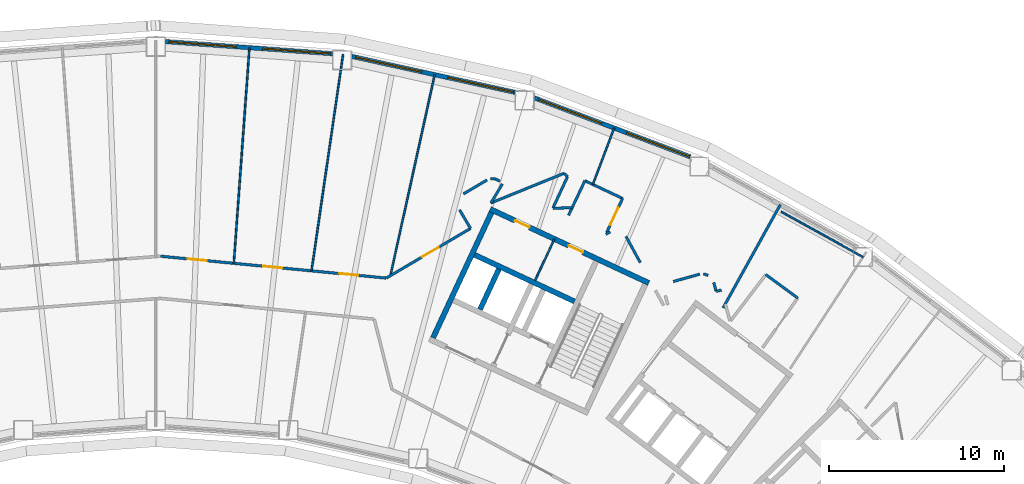
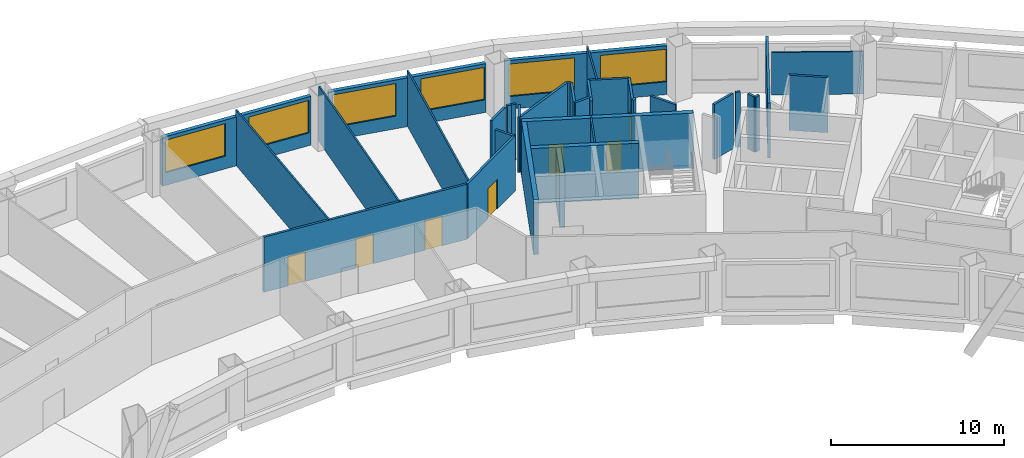
# One storey, part 8 of 11: 35 walls, 7 doors, 6 windows, 13 openings.
"""IFC4 building model written with IfcOpenShell, lengths in metres."""

import ifcopenshell
import ifcopenshell.guid

model = None  # the IFC model being written
_history = None  # IfcOwnerHistory: only IFC2X3 demands one
_inside = {}  # id of a spatial element -> (the spatial element, [elements in it])
_under = {}  # id of a project, library or spatial element -> (it, [spatial elements below it])
_declared = {}  # id of a project -> (the project, [libraries it declares])
_typed = {}  # id of a type object -> (the type object, [elements of that type])
_made_of = {}  # id of a material, layer set ... -> (it, [elements and type objects made of it])


def new_model(schema):
    """Start an empty IFC model of exactly this schema.

    Asked for "IFC4X3", IfcOpenShell would pick the latest addendum, in which some entities
    have other attributes; the version numbers below select the first issue.
    IFC2X3 requires an IfcOwnerHistory on every rooted entity: one is made here for all.
    """
    global model, _history
    if schema == "IFC4X3":
        model = ifcopenshell.file(schema_version=(4, 3, 0, 0))
    else:
        model = ifcopenshell.file(schema=schema)
    _inside.clear()
    _under.clear()
    _declared.clear()
    _typed.clear()
    _made_of.clear()
    _history = None
    if model.schema == "IFC2X3":
        org = make("IfcOrganization", Name="unknown")
        user = make(
            "IfcPersonAndOrganization",
            ThePerson=make("IfcPerson", FamilyName="unknown"),
            TheOrganization=org,
        )
        app = make(
            "IfcApplication",
            ApplicationDeveloper=org,
            Version="unknown",
            ApplicationFullName="unknown",
            ApplicationIdentifier="unknown",
        )
        _history = make(
            "IfcOwnerHistory",
            OwningUser=user,
            OwningApplication=app,
            ChangeAction="ADDED",
            CreationDate=0,
        )
    return model


def make(cls, **values):
    """One entity of the class cls with the attributes given. An attribute that is None is left unset."""
    return model.create_entity(
        cls, **{name: value for name, value in values.items() if value is not None}
    )


def rooted(cls, **values):
    """An entity with a GlobalId (a new one), such as an element, a storey or a relation."""
    return make(cls, GlobalId=ifcopenshell.guid.new(), OwnerHistory=_history, **values)


def si_unit(unit_type, name, prefix=None):
    """IfcSIUnit, for example si_unit("LENGTHUNIT", "METRE", prefix="MILLI")."""
    return make("IfcSIUnit", UnitType=unit_type, Prefix=prefix, Name=name)


def assignment(units):
    """IfcUnitAssignment: the units of a project."""
    return None if units is None else make("IfcUnitAssignment", Units=units)


def point(xyz):
    """IfcCartesianPoint."""
    return None if xyz is None else make("IfcCartesianPoint", Coordinates=xyz)


def direction(xyz):
    """IfcDirection."""
    return None if xyz is None else make("IfcDirection", DirectionRatios=xyz)


def frame(location, z_axis=None, x_axis=None):
    """IfcAxis2Placement3D, a coordinate frame: its origin and axes. An axis left out is left unset."""
    return make(
        "IfcAxis2Placement3D",
        Location=point(location),
        Axis=direction(z_axis),
        RefDirection=direction(x_axis),
    )


def frame_2d(location, x_axis=None):
    """IfcAxis2Placement2D, a coordinate frame in the plane: its origin and x axis."""
    return make(
        "IfcAxis2Placement2D", Location=point(location), RefDirection=direction(x_axis)
    )


def origin():
    """The frame at (0, 0, 0) with its axes left unset."""
    return frame((0.0, 0.0, 0.0))


def place(relative_to, where):
    """IfcLocalPlacement: puts the frame where relative to a parent placement (None: the world)."""
    return make(
        "IfcLocalPlacement", PlacementRelTo=relative_to, RelativePlacement=where
    )


def context(
    kind, dimensions, precision=None, world=None, true_north=None, identifier=None
):
    """IfcGeometricRepresentationContext, for example the 3D "Model" context."""
    return make(
        "IfcGeometricRepresentationContext",
        ContextIdentifier=identifier,
        ContextType=kind,
        CoordinateSpaceDimension=dimensions,
        Precision=precision,
        WorldCoordinateSystem=world,
        TrueNorth=true_north,
    )


def subcontext(parent, identifier, kind, view, scale=None):
    """IfcGeometricRepresentationSubContext, for example "Body" below "Model"."""
    return make(
        "IfcGeometricRepresentationSubContext",
        ContextIdentifier=identifier,
        ContextType=kind,
        ParentContext=parent,
        TargetScale=scale,
        TargetView=view,
    )


def project(units=None, contexts=None):
    """IfcProject with its units and contexts."""
    return rooted(
        "IfcProject",
        Name="project",
        RepresentationContexts=contexts,
        UnitsInContext=assignment(units),
    )


def spatial(cls, under=None, at=None, **own):
    """A site, building, storey or space (cls), placed at a placement, below another one or the project."""
    s = rooted(cls, ObjectPlacement=at, **own)
    if under is not None:
        _under.setdefault(under.id(), (under, []))[1].append(s)
    return s


def profile(cls, at=None, kind="AREA", **sizes):
    """A parametric profile (cls). Its sizes go by their IFC names, for example OverallWidth=200.0."""
    return make(cls, ProfileType=kind, Position=at, **sizes)


def rectangle(**sizes):
    """IfcRectangleProfileDef."""
    return profile("IfcRectangleProfileDef", **sizes)


def extrude(swept, where, along, depth):
    """IfcExtrudedAreaSolid: the profile swept, set in the frame where, extruded along a direction by depth."""
    return make(
        "IfcExtrudedAreaSolid",
        SweptArea=swept,
        Position=where,
        ExtrudedDirection=direction(along),
        Depth=depth,
    )


def shape(context_of_items, identifier, shape_type, items):
    """IfcShapeRepresentation: the items that make up one representation, for example the "Body"."""
    return make(
        "IfcShapeRepresentation",
        ContextOfItems=context_of_items,
        RepresentationIdentifier=identifier,
        RepresentationType=shape_type,
        Items=items,
    )


def material(Name=None, Category=None):
    """IfcMaterial."""
    return make("IfcMaterial", Name=Name, Category=Category)


def layer(
    of_material, thickness, ventilated=None, Name=None, Category=None, Priority=None
):
    """IfcMaterialLayer: one layer of a wall or slab, of a material (None: an air gap)."""
    return make(
        "IfcMaterialLayer",
        Material=of_material,
        LayerThickness=thickness,
        IsVentilated=ventilated,
        Name=Name,
        Category=Category,
        Priority=Priority,
    )


def layer_set(layers, Name=None):
    """IfcMaterialLayerSet."""
    return make("IfcMaterialLayerSet", MaterialLayers=layers, LayerSetName=Name)


def made_of(thing, what):
    """Note that an element or type object is made of a material, layer set ...; save() writes the relation."""
    if what is not None:
        _made_of.setdefault(what.id(), (what, []))[1].append(thing)
    return thing


def type_object(cls, material=None, **own):
    """A type object (cls), such as IfcWallType, which elements share."""
    return made_of(rooted(cls, **own), material)


def element(
    cls,
    number,
    at=None,
    inside=None,
    cuts=None,
    type_object=None,
    material=None,
    context=None,
    identifier="Body",
    shape_type=None,
    held_by="IfcProductDefinitionShape",
    body=None,
    shapes=None,
    **own,
):
    """One element of the class cls, such as IfcWall. Its Tag is "e" and its number.

    at: its placement. inside: the storey or other place that contains it. cuts: it is an
    opening in that element (IfcRelVoidsElement). A single representation is given by context,
    identifier, shape_type and body (its items); several are given by shapes. held_by: the class
    of the entity that holds the representations. save() writes the other relations.
    """
    e = rooted(cls, Tag="e%d" % number, ObjectPlacement=at, **own)
    if body is not None:
        shapes = [shape(context, identifier, shape_type, body)]
    if shapes is not None:
        e.Representation = make(held_by, Representations=shapes)
    if inside is not None:
        _inside.setdefault(inside.id(), (inside, []))[1].append(e)
    if cuts is not None:
        rooted(
            "IfcRelVoidsElement", RelatingBuildingElement=cuts, RelatedOpeningElement=e
        )
    if type_object is not None:
        _typed.setdefault(type_object.id(), (type_object, []))[1].append(e)
    return made_of(e, material)


def fill(opening, filler):
    """IfcRelFillsElement: the door or window that sits in an opening."""
    return rooted(
        "IfcRelFillsElement",
        RelatingOpeningElement=opening,
        RelatedBuildingElement=filler,
    )


def aggregate(whole, parts):
    """IfcRelAggregates: a whole, such as a stair, and the parts it consists of."""
    return rooted("IfcRelAggregates", RelatingObject=whole, RelatedObjects=parts)


def save(model, path):
    """Write the relations noted so far, then the file.

    IfcRelAggregates (storeys below a building ...), IfcRelContainedInSpatialStructure (elements
    in a storey), IfcRelDefinesByType, IfcRelAssociatesMaterial and IfcRelDeclares: one each for
    every whole, place, type object, material and project.
    """
    for whole, parts in _under.values():
        aggregate(whole, parts)
    for where, things in _inside.values():
        rooted(
            "IfcRelContainedInSpatialStructure",
            RelatedElements=things,
            RelatingStructure=where,
        )
    for kind, things in _typed.values():
        rooted("IfcRelDefinesByType", RelatedObjects=things, RelatingType=kind)
    for what, things in _made_of.values():
        rooted("IfcRelAssociatesMaterial", RelatedObjects=things, RelatingMaterial=what)
    for by, libraries in _declared.values():
        rooted("IfcRelDeclares", RelatingContext=by, RelatedDefinitions=libraries)
    model.write(path)


model = new_model("IFC4")

# Units and contexts
model_context = context("Model", 3, precision=1e-05, world=origin(), true_north=direction((0.0, 1.0)))
body_context = subcontext(model_context, "Body", "Model", "MODEL_VIEW")
ifc_project = project(units=[si_unit("LENGTHUNIT", "METRE"), si_unit("AREAUNIT", "SQUARE_METRE"), si_unit("VOLUMEUNIT", "CUBIC_METRE"), si_unit("PLANEANGLEUNIT", "RADIAN"), si_unit("MASSUNIT", "GRAM", prefix="KILO")], contexts=[model_context])

# Site, building, storey
site_placement = place(None, origin())
site = spatial("IfcSite", under=ifc_project, at=site_placement, CompositionType="ELEMENT")
building_placement = place(site_placement, origin())
building = spatial("IfcBuilding", under=site, at=building_placement, Name="Tuul Gate Civic Tower", CompositionType="ELEMENT")
storey_placement = place(building_placement, frame((0.0, 0.0, 120.300048828125)))
storey = spatial("IfcBuildingStorey", under=building, at=storey_placement, Name="Level 27", CompositionType="ELEMENT", Elevation=120.300048828125)

# Wall
ifc_material_1 = material(Name="Concrete C50/60", Category="concrete")
ifc_layer_1 = layer(ifc_material_1, 0.300048828125)
ifc_layer_set_1 = layer_set([ifc_layer_1], Name="Concrete C50/60")
wall_type_1 = type_object("IfcWallType", Name="Core wall C50/60", PredefinedType="SHEAR", material=ifc_layer_set_1)
wall_1_placement = place(storey_placement, frame((33.75, -0.873779296875, 0.0), z_axis=(0.0, 0.0, 1.0), x_axis=(-0.906300917592, 0.422632992999, 0.0)))
element("IfcWall", 1, at=wall_1_placement, inside=storey, type_object=wall_type_1, Name="Core wall", PredefinedType="SHEAR", context=body_context, shape_type="SweptSolid", body=[
    extrude(rectangle(XDim=6.300048828125, YDim=0.300048828125, at=frame_2d((3.14990234375, 0.0))), origin(), (0.0, 0.0, 1.0), 3.89990234375),
])

# Wall, openings, doors
wall_2_placement = place(storey_placement, frame((37.993408203125, 0.181884765625, 0.0), z_axis=(0.0, 0.0, 1.0), x_axis=(-0.906310338845, 0.422612789327, 0.0)))
wall_2 = element("IfcWall", 2, at=wall_2_placement, inside=storey, type_object=wall_type_1, Name="Core wall", PredefinedType="SHEAR", context=body_context, shape_type="SweptSolid", body=[
    extrude(rectangle(XDim=9.999755859375, YDim=0.300048828125, at=frame_2d((5.0, 0.0))), origin(), (0.0, 0.0, 1.0), 3.89990234375),
])
opening_1_placement = place(wall_2_placement, frame((4.14990234375, 0.0, 0.0)))
opening_1 = element("IfcOpeningElement", 3, at=opening_1_placement, cuts=wall_2, Name="Opening I-D30", PredefinedType="OPENING", context=body_context, shape_type="SweptSolid", body=[
    extrude(rectangle(XDim=0.89990234375, YDim=2.10009765625, at=frame_2d((0.449951171875, 1.050048828125))), frame((0.0, 0.16015625, 0.0), z_axis=(0.0, -1.0, 0.0), x_axis=(1.0, 0.0, 0.0)), (0.0, 0.0, 1.0), 0.320068359375),
])
opening_2_placement = place(wall_2_placement, frame((7.52490234375, 0.0, 0.0)))
opening_2 = element("IfcOpeningElement", 4, at=opening_2_placement, cuts=wall_2, Name="Opening I-D31", PredefinedType="OPENING", context=body_context, shape_type="SweptSolid", body=[
    extrude(rectangle(XDim=0.89990234375, YDim=2.10009765625, at=frame_2d((0.449951171875, 1.050048828125))), frame((0.0, 0.16015625, 0.0), z_axis=(0.0, -1.0, 0.0), x_axis=(1.0, 0.0, 0.0)), (0.0, 0.0, 1.0), 0.320068359375),
])
ifc_material_2 = material(Name="Timber door leaf", Category="wood")
door_type_1 = type_object("IfcDoorType", Name="Door D09", OperationType="NOTDEFINED", PredefinedType="DOOR", material=ifc_material_2)
door_1_placement = place(opening_1_placement, origin())
door_1 = element("IfcDoor", 5, at=door_1_placement, inside=storey, type_object=door_type_1, Name="Door I-D30", OperationType="SINGLE_SWING_LEFT", OverallHeight=2.10009765625, OverallWidth=0.89990234375, PredefinedType="DOOR", context=body_context, shape_type="SweptSolid", body=[
    extrude(rectangle(XDim=0.89990234375, YDim=2.10009765625, at=frame_2d((0.449951171875, 1.050048828125))), frame((0.0, 0.02490234375, 0.0), z_axis=(0.0, -1.0, 0.0), x_axis=(1.0, 0.0, 0.0)), (0.0, 0.0, 1.0), 0.050048828125),
])
fill(opening_1, door_1)
door_2_placement = place(opening_2_placement, origin())
door_2 = element("IfcDoor", 6, at=door_2_placement, inside=storey, type_object=door_type_1, Name="Door I-D31", OperationType="SINGLE_SWING_RIGHT", OverallHeight=2.10009765625, OverallWidth=0.89990234375, PredefinedType="DOOR", context=body_context, shape_type="SweptSolid", body=[
    extrude(rectangle(XDim=0.89990234375, YDim=2.10009765625, at=frame_2d((0.449951171875, 1.050048828125))), frame((0.0, 0.02490234375, 0.0), z_axis=(0.0, -1.0, 0.0), x_axis=(1.0, 0.0, 0.0)), (0.0, 0.0, 1.0), 0.050048828125),
])
fill(opening_2, door_2)

# Walls
wall_3_placement = place(storey_placement, frame((28.349365234375, -1.33447265625, 0.0), z_axis=(0.0, 0.0, 1.0), x_axis=(0.422612891016, 0.906310291427, 0.0)))
element("IfcWall", 7, at=wall_3_placement, inside=storey, type_object=wall_type_1, Name="Core wall", PredefinedType="SHEAR", context=body_context, shape_type="SweptSolid", body=[
    extrude(rectangle(XDim=2.550048828125, YDim=0.300048828125, at=frame_2d((1.27490234375, 0.0))), origin(), (0.0, 0.0, 1.0), 3.89990234375),
])
wall_4_placement = place(storey_placement, frame((25.66455078125, -2.951416015625, 0.0), z_axis=(0.0, 0.0, 1.0), x_axis=(0.422582604137, 0.906324413596, 0.0)))
element("IfcWall", 8, at=wall_4_placement, inside=storey, type_object=wall_type_1, Name="Core wall", PredefinedType="SHEAR", context=body_context, shape_type="SweptSolid", body=[
    extrude(rectangle(XDim=7.89990234375, YDim=0.300048828125, at=frame_2d((3.949951171875, 0.0))), origin(), (0.0, 0.0, 1.0), 3.89990234375),
])
ifc_material_3 = material(Name="Gypsum board partition")
ifc_layer_2 = layer(ifc_material_3, 0.14990234375)
ifc_layer_set_2 = layer_set([ifc_layer_2], Name="Gypsum board partition")
wall_type_2 = type_object("IfcWallType", Name="Corridor wall P150", PredefinedType="PARTITIONING", material=ifc_layer_set_2)
wall_5_placement = place(storey_placement, frame((44.67919921875, 0.660888671875, 0.0), z_axis=(0.0, 0.0, 1.0), x_axis=(0.80631610923, -0.591484853564, 0.0)))
element("IfcWall", 9, at=wall_5_placement, inside=storey, type_object=wall_type_2, Name="p022", PredefinedType="PARTITIONING", context=body_context, shape_type="SweptSolid", body=[
    extrude(rectangle(XDim=2.2705078125, YDim=0.14990234375, at=frame_2d((1.13525390625, 0.0))), origin(), (0.0, 0.0, 1.0), 3.89990234375),
])
wall_6_placement = place(storey_placement, frame((42.241455078125, -1.232666015625, 0.0), z_axis=(0.0, 0.0, 1.0), x_axis=(0.484802718844, 0.874623532614, 0.0)))
element("IfcWall", 10, at=wall_6_placement, inside=storey, type_object=wall_type_2, Name="p026", PredefinedType="PARTITIONING", context=body_context, shape_type="SweptSolid", body=[
    extrude(rectangle(XDim=6.737060546875, YDim=0.14990234375, at=frame_2d((3.36865234375, 0.0))), origin(), (0.0, 0.0, 1.0), 3.89990234375),
])
wall_7_placement = place(storey_placement, frame((41.844970703125, -0.2998046875, 0.0), z_axis=(0.0, 0.0, 1.0), x_axis=(0.963936583764, 0.26613203956, 0.0)))
element("IfcWall", 11, at=wall_7_placement, inside=storey, type_object=wall_type_2, Name="p027", PredefinedType="PARTITIONING", context=body_context, shape_type="SweptSolid", body=[
    extrude(rectangle(XDim=0.308349609375, YDim=0.14990234375, at=frame_2d((0.154296875, 0.0))), origin(), (0.0, 0.0, 1.0), 3.89990234375),
])
wall_8_placement = place(storey_placement, frame((41.703369140625, 0.210693359375, 0.0), z_axis=(0.0, 0.0, 1.0), x_axis=(0.267287321519, -0.963616878098, 0.0)))
element("IfcWall", 12, at=wall_8_placement, inside=storey, type_object=wall_type_2, Name="p028", PredefinedType="PARTITIONING", context=body_context, shape_type="SweptSolid", body=[
    extrude(rectangle(XDim=0.52978515625, YDim=0.14990234375, at=frame_2d((0.264892578125, 0.0))), origin(), (0.0, 0.0, 1.0), 3.89990234375),
])
wall_9_placement = place(storey_placement, frame((41.114501953125, 0.702880859375, 0.0), z_axis=(0.0, 0.0, 1.0), x_axis=(0.952971782191, -0.303059041028, 0.0)))
element("IfcWall", 13, at=wall_9_placement, inside=storey, type_object=wall_type_2, Name="p029", PredefinedType="PARTITIONING", context=body_context, shape_type="SweptSolid", body=[
    extrude(rectangle(XDim=0.27880859375, YDim=0.14990234375, at=frame_2d((0.139404296875, 0.0))), origin(), (0.0, 0.0, 1.0), 3.89990234375),
])
wall_10_placement = place(storey_placement, frame((39.396484375, 0.267578125, 0.0), z_axis=(0.0, 0.0, 1.0), x_axis=(0.963580470167, 0.267418543696, 0.0)))
element("IfcWall", 14, at=wall_10_placement, inside=storey, type_object=wall_type_2, Name="p030", PredefinedType="PARTITIONING", context=body_context, shape_type="SweptSolid", body=[
    extrude(rectangle(XDim=1.564697265625, YDim=0.14990234375, at=frame_2d((0.7822265625, 0.0))), origin(), (0.0, 0.0, 1.0), 3.89990234375),
])
wall_11_placement = place(storey_placement, frame((36.688720703125, 2.844482421875, 0.0), z_axis=(0.0, 0.0, 1.0), x_axis=(0.479142281533, -0.877737246588, 0.0)))
element("IfcWall", 15, at=wall_11_placement, inside=storey, type_object=wall_type_2, Name="p032", PredefinedType="PARTITIONING", context=body_context, shape_type="SweptSolid", body=[
    extrude(rectangle(XDim=1.70947265625, YDim=0.14990234375, at=frame_2d((0.854736328125, 0.0))), origin(), (0.0, 0.0, 1.0), 3.89990234375),
])
wall_12_placement = place(storey_placement, frame((35.54150390625, 2.968505859375, 0.0), z_axis=(0.0, 0.0, 1.0), x_axis=(0.87803002842, 0.478605546554, 0.0)))
element("IfcWall", 16, at=wall_12_placement, inside=storey, type_object=wall_type_2, Name="p034", PredefinedType="PARTITIONING", context=body_context, shape_type="SweptSolid", body=[
    extrude(rectangle(XDim=0.277587890625, YDim=0.14990234375, at=frame_2d((0.138671875, 0.0))), origin(), (0.0, 0.0, 1.0), 3.89990234375),
])

# Wall, opening, door
wall_13_placement = place(storey_placement, frame((35.583740234375, 3.05908203125, 0.0), z_axis=(0.0, 0.0, 1.0), x_axis=(0.422693395691, 0.906272747709, 0.0)))
wall_13 = element("IfcWall", 17, at=wall_13_placement, inside=storey, type_object=wall_type_2, Name="p035", PredefinedType="PARTITIONING", context=body_context, shape_type="SweptSolid", body=[
    extrude(rectangle(XDim=2.1572265625, YDim=0.14990234375, at=frame_2d((1.07861328125, 0.0))), origin(), (0.0, 0.0, 1.0), 3.89990234375),
])
opening_3_placement = place(wall_13_placement, frame((0.478759765625, 0.0, 0.0)))
opening_3 = element("IfcOpeningElement", 18, at=opening_3_placement, cuts=wall_13, Name="Opening I-D051", PredefinedType="OPENING", context=body_context, shape_type="SweptSolid", body=[
    extrude(rectangle(XDim=1.10009765625, YDim=2.10009765625, at=frame_2d((0.550048828125, 1.050048828125))), frame((0.0, 0.0849609375, 0.0), z_axis=(0.0, -1.0, 0.0), x_axis=(1.0, 0.0, 0.0)), (0.0, 0.0, 1.0), 0.169921875),
])
ifc_material_4 = material(Name="Timber door leaf", Category="wood")
door_type_2 = type_object("IfcDoorType", Name="Door D11", OperationType="NOTDEFINED", PredefinedType="DOOR", material=ifc_material_4)
door_3_placement = place(opening_3_placement, frame((1.10009765625, 0.0, 0.0), z_axis=(0.0, 0.0, 1.0), x_axis=(-1.0, 0.0, 0.0)))
door_3 = element("IfcDoor", 19, at=door_3_placement, inside=storey, type_object=door_type_2, Name="Door I-D05", OperationType="SINGLE_SWING_RIGHT", OverallHeight=2.10009765625, OverallWidth=1.10009765625, PredefinedType="DOOR", context=body_context, shape_type="SweptSolid", body=[
    extrude(rectangle(XDim=1.10009765625, YDim=2.10009765625, at=frame_2d((0.550048828125, 1.050048828125))), frame((0.0, 0.02490234375, 0.0), z_axis=(0.0, -1.0, 0.0), x_axis=(1.0, 0.0, 0.0)), (0.0, 0.0, 1.0), 0.050048828125),
])
fill(opening_3, door_3)

# Walls
wall_14_placement = place(storey_placement, frame((34.342529296875, 6.025634765625, 0.0), z_axis=(0.0, 0.0, 1.0), x_axis=(0.905099939388, -0.425198894306, 0.0)))
element("IfcWall", 20, at=wall_14_placement, inside=storey, type_object=wall_type_2, Name="p036", PredefinedType="PARTITIONING", context=body_context, shape_type="SweptSolid", body=[
    extrude(rectangle(XDim=2.37890625, YDim=0.14990234375, at=frame_2d((1.189453125, 0.0))), origin(), (0.0, 0.0, 1.0), 3.89990234375),
])
wall_15_placement = place(storey_placement, frame((33.408203125, 4.05322265625, 0.0), z_axis=(0.0, 0.0, 1.0), x_axis=(0.428095961812, 0.903733283375, 0.0)))
element("IfcWall", 21, at=wall_15_placement, inside=storey, type_object=wall_type_2, Name="p038", PredefinedType="PARTITIONING", context=body_context, shape_type="SweptSolid", body=[
    extrude(rectangle(XDim=2.1826171875, YDim=0.14990234375, at=frame_2d((1.09130859375, 0.0))), origin(), (0.0, 0.0, 1.0), 3.89990234375),
])
wall_16_placement = place(storey_placement, frame((32.5263671875, 4.4423828125, 0.0), z_axis=(0.0, 0.0, 1.0), x_axis=(0.998924273389, 0.046371284587, 0.0)))
element("IfcWall", 22, at=wall_16_placement, inside=storey, type_object=wall_type_2, Name="p039", PredefinedType="PARTITIONING", context=body_context, shape_type="SweptSolid", body=[
    extrude(rectangle(XDim=1.06884765625, YDim=0.14990234375, at=frame_2d((0.534423828125, 0.0))), origin(), (0.0, 0.0, 1.0), 3.89990234375),
])
wall_17_placement = place(storey_placement, frame((32.516845703125, 4.468994140625, 0.0), z_axis=(0.0, 0.0, 1.0), x_axis=(0.422330715497, 0.906441816526, 0.0)))
element("IfcWall", 23, at=wall_17_placement, inside=storey, type_object=wall_type_2, Name="p040", PredefinedType="PARTITIONING", context=body_context, shape_type="SweptSolid", body=[
    extrude(rectangle(XDim=1.975830078125, YDim=0.14990234375, at=frame_2d((0.98779296875, 0.0))), origin(), (0.0, 0.0, 1.0), 3.89990234375),
])
wall_18_placement = place(storey_placement, frame((33.1455078125, 6.447265625, 0.0), z_axis=(0.0, 0.0, 1.0), x_axis=(0.739662095521, -0.672978442782, 0.0)))
element("IfcWall", 24, at=wall_18_placement, inside=storey, type_object=wall_type_2, Name="p041", PredefinedType="PARTITIONING", context=body_context, shape_type="SweptSolid", body=[
    extrude(rectangle(XDim=0.2783203125, YDim=0.14990234375, at=frame_2d((0.13916015625, 0.0))), origin(), (0.0, 0.0, 1.0), 3.89990234375),
])

# Wall, opening, door
wall_19_placement = place(storey_placement, frame((23.002197265625, 0.4658203125, 0.0), z_axis=(0.0, 0.0, 1.0), x_axis=(0.861394869743, 0.507935899873, 0.0)))
wall_19 = element("IfcWall", 25, at=wall_19_placement, inside=storey, type_object=wall_type_2, Name="p042", PredefinedType="PARTITIONING", context=body_context, shape_type="SweptSolid", body=[
    extrude(rectangle(XDim=5.578857421875, YDim=0.14990234375, at=frame_2d((2.78955078125, 0.0))), origin(), (0.0, 0.0, 1.0), 3.89990234375),
])
opening_4_placement = place(wall_19_placement, frame((2.372314453125, 0.0, 0.0)))
opening_4 = element("IfcOpeningElement", 26, at=opening_4_placement, cuts=wall_19, Name="Opening I-D061", PredefinedType="OPENING", context=body_context, shape_type="SweptSolid", body=[
    extrude(rectangle(XDim=1.10009765625, YDim=2.10009765625, at=frame_2d((0.550048828125, 1.050048828125))), frame((0.0, 0.0849609375, 0.0), z_axis=(0.0, -1.0, 0.0), x_axis=(1.0, 0.0, 0.0)), (0.0, 0.0, 1.0), 0.169921875),
])
door_4_placement = place(opening_4_placement, origin())
door_4 = element("IfcDoor", 27, at=door_4_placement, inside=storey, type_object=door_type_2, Name="Door I-D06", OperationType="SINGLE_SWING_RIGHT", OverallHeight=2.10009765625, OverallWidth=1.10009765625, PredefinedType="DOOR", context=body_context, shape_type="SweptSolid", body=[
    extrude(rectangle(XDim=1.10009765625, YDim=2.10009765625, at=frame_2d((0.550048828125, 1.050048828125))), frame((0.0, 0.02490234375, 0.0), z_axis=(0.0, -1.0, 0.0), x_axis=(1.0, 0.0, 0.0)), (0.0, 0.0, 1.0), 0.050048828125),
])
fill(opening_4, door_4)

# Walls
wall_20_placement = place(storey_placement, frame((28.97412109375, 4.75390625, 0.0), z_axis=(0.0, 0.0, 1.0), x_axis=(0.926564640531, 0.376135569865, 0.0)))
element("IfcWall", 28, at=wall_20_placement, inside=storey, type_object=wall_type_2, Name="p043", PredefinedType="PARTITIONING", context=body_context, shape_type="SweptSolid", body=[
    extrude(rectangle(XDim=4.501953125, YDim=0.14990234375, at=frame_2d((2.2509765625, 0.0))), origin(), (0.0, 0.0, 1.0), 3.89990234375),
])
wall_21_placement = place(storey_placement, frame((29.63037109375, 5.84521484375, 0.0), z_axis=(0.0, 0.0, 1.0), x_axis=(-0.515341325325, -0.856985016445, 0.0)))
element("IfcWall", 29, at=wall_21_placement, inside=storey, type_object=wall_type_2, Name="p044", PredefinedType="PARTITIONING", context=body_context, shape_type="SweptSolid", body=[
    extrude(rectangle(XDim=1.2734375, YDim=0.14990234375, at=frame_2d((0.63671875, 0.0))), origin(), (0.0, 0.0, 1.0), 3.89990234375),
])
wall_22_placement = place(storey_placement, frame((29.233154296875, 6.12548828125, 0.0), z_axis=(0.0, 0.0, 1.0), x_axis=(0.902989616358, -0.429662370646, 0.0)))
element("IfcWall", 30, at=wall_22_placement, inside=storey, type_object=wall_type_2, Name="p045", PredefinedType="PARTITIONING", context=body_context, shape_type="SweptSolid", body=[
    extrude(rectangle(XDim=0.279541015625, YDim=0.14990234375, at=frame_2d((0.1396484375, 0.0))), origin(), (0.0, 0.0, 1.0), 3.89990234375),
])
wall_23_placement = place(storey_placement, frame((28.95361328125, 6.1396484375, 0.0), z_axis=(0.0, 0.0, 1.0), x_axis=(0.998719498115, -0.050590157983, 0.0)))
element("IfcWall", 31, at=wall_23_placement, inside=storey, type_object=wall_type_2, Name="p046", PredefinedType="PARTITIONING", context=body_context, shape_type="SweptSolid", body=[
    extrude(rectangle(XDim=0.27978515625, YDim=0.14990234375, at=frame_2d((0.139892578125, 0.0))), origin(), (0.0, 0.0, 1.0), 3.89990234375),
])
wall_24_placement = place(storey_placement, frame((27.404541015625, 5.273193359375, 0.0), z_axis=(0.0, 0.0, 1.0), x_axis=(0.861308158531, 0.508082922414, 0.0)))
element("IfcWall", 32, at=wall_24_placement, inside=storey, type_object=wall_type_2, Name="p047", PredefinedType="PARTITIONING", context=body_context, shape_type="SweptSolid", body=[
    extrude(rectangle(XDim=1.5654296875, YDim=0.14990234375, at=frame_2d((0.78271484375, 0.0))), origin(), (0.0, 0.0, 1.0), 3.89990234375),
])
wall_25_placement = place(storey_placement, frame((27.181640625, 4.36181640625, 0.0), z_axis=(0.0, 0.0, 1.0), x_axis=(0.507988786181, -0.861363682259, 0.0)))
element("IfcWall", 33, at=wall_25_placement, inside=storey, type_object=wall_type_2, Name="p048", PredefinedType="PARTITIONING", context=body_context, shape_type="SweptSolid", body=[
    extrude(rectangle(XDim=1.233154296875, YDim=0.14990234375, at=frame_2d((0.61669921875, 0.0))), origin(), (0.0, 0.0, 1.0), 3.89990234375),
])

# Wall, openings, doors
wall_26_placement = place(storey_placement, frame((10.10693359375, 1.712158203125, 0.0), z_axis=(0.0, 0.0, 1.0), x_axis=(0.995326823209, -0.096563528315, 0.0)))
wall_26 = element("IfcWall", 34, at=wall_26_placement, inside=storey, type_object=wall_type_2, Name="p051", PredefinedType="PARTITIONING", context=body_context, shape_type="SweptSolid", body=[
    extrude(rectangle(XDim=12.9423828125, YDim=0.14990234375, at=frame_2d((6.47119140625, 0.0))), origin(), (0.0, 0.0, 1.0), 3.89990234375),
])
opening_5_placement = place(wall_26_placement, frame((10.25048828125, 0.0, 0.0)))
opening_5 = element("IfcOpeningElement", 35, at=opening_5_placement, cuts=wall_26, Name="Opening I-D07", PredefinedType="OPENING", context=body_context, shape_type="SweptSolid", body=[
    extrude(rectangle(XDim=1.10009765625, YDim=2.10009765625, at=frame_2d((0.550048828125, 1.050048828125))), frame((0.0, 0.0849609375, 0.0), z_axis=(0.0, -1.0, 0.0), x_axis=(1.0, 0.0, 0.0)), (0.0, 0.0, 1.0), 0.169921875),
])
opening_6_placement = place(wall_26_placement, frame((5.8779296875, 0.0, 0.0)))
opening_6 = element("IfcOpeningElement", 36, at=opening_6_placement, cuts=wall_26, Name="Opening I-D08", PredefinedType="OPENING", context=body_context, shape_type="SweptSolid", body=[
    extrude(rectangle(XDim=1.10009765625, YDim=2.10009765625, at=frame_2d((0.550048828125, 1.050048828125))), frame((0.0, 0.0849609375, 0.0), z_axis=(0.0, -1.0, 0.0), x_axis=(1.0, 0.0, 0.0)), (0.0, 0.0, 1.0), 0.169921875),
])
opening_7_placement = place(wall_26_placement, frame((1.548583984375, 0.0, 0.0)))
opening_7 = element("IfcOpeningElement", 37, at=opening_7_placement, cuts=wall_26, Name="Opening I-D09", PredefinedType="OPENING", context=body_context, shape_type="SweptSolid", body=[
    extrude(rectangle(XDim=1.10009765625, YDim=2.10009765625, at=frame_2d((0.550048828125, 1.050048828125))), frame((0.0, 0.0849609375, 0.0), z_axis=(0.0, -1.0, 0.0), x_axis=(1.0, 0.0, 0.0)), (0.0, 0.0, 1.0), 0.169921875),
])
door_5_placement = place(opening_5_placement, origin())
door_5 = element("IfcDoor", 38, at=door_5_placement, inside=storey, type_object=door_type_2, Name="Door I-D07", OperationType="SINGLE_SWING_RIGHT", OverallHeight=2.10009765625, OverallWidth=1.10009765625, PredefinedType="DOOR", context=body_context, shape_type="SweptSolid", body=[
    extrude(rectangle(XDim=1.10009765625, YDim=2.10009765625, at=frame_2d((0.550048828125, 1.050048828125))), frame((0.0, 0.02490234375, 0.0), z_axis=(0.0, -1.0, 0.0), x_axis=(1.0, 0.0, 0.0)), (0.0, 0.0, 1.0), 0.050048828125),
])
fill(opening_5, door_5)
door_6_placement = place(opening_6_placement, origin())
door_6 = element("IfcDoor", 39, at=door_6_placement, inside=storey, type_object=door_type_2, Name="Door I-D08", OperationType="SINGLE_SWING_RIGHT", OverallHeight=2.10009765625, OverallWidth=1.10009765625, PredefinedType="DOOR", context=body_context, shape_type="SweptSolid", body=[
    extrude(rectangle(XDim=1.10009765625, YDim=2.10009765625, at=frame_2d((0.550048828125, 1.050048828125))), frame((0.0, 0.02490234375, 0.0), z_axis=(0.0, -1.0, 0.0), x_axis=(1.0, 0.0, 0.0)), (0.0, 0.0, 1.0), 0.050048828125),
])
fill(opening_6, door_6)
door_7_placement = place(opening_7_placement, origin())
door_7 = element("IfcDoor", 40, at=door_7_placement, inside=storey, type_object=door_type_2, Name="Door I-D09", OperationType="SINGLE_SWING_RIGHT", OverallHeight=2.10009765625, OverallWidth=1.10009765625, PredefinedType="DOOR", context=body_context, shape_type="SweptSolid", body=[
    extrude(rectangle(XDim=1.10009765625, YDim=2.10009765625, at=frame_2d((0.550048828125, 1.050048828125))), frame((0.0, 0.02490234375, 0.0), z_axis=(0.0, -1.0, 0.0), x_axis=(1.0, 0.0, 0.0)), (0.0, 0.0, 1.0), 0.050048828125),
])
fill(opening_7, door_7)

# Wall, openings, windows
ifc_material_5 = material(Name="Precast concrete C40/50", Category="concrete")
ifc_layer_3 = layer(ifc_material_5, 0.25)
ifc_layer_set_3 = layer_set([ifc_layer_3], Name="Precast concrete C40/50")
wall_type_3 = type_object("IfcWallType", Name="External wall", PredefinedType="STANDARD", material=ifc_layer_set_3)
wall_27_placement = place(storey_placement, frame((40.358154296875, 7.389892578125, 0.0), z_axis=(0.0, 0.0, 1.0), x_axis=(-0.935373880855, 0.353660434618, 0.0)))
wall_27 = element("IfcWall", 41, at=wall_27_placement, inside=storey, type_object=wall_type_3, Name="External wall", PredefinedType="STANDARD", context=body_context, shape_type="SweptSolid", body=[
    extrude(rectangle(XDim=9.518310546875, YDim=0.25, at=frame_2d((4.75927734375, 0.0))), origin(), (0.0, 0.0, 1.0), 3.449951171875),
])
opening_8_placement = place(wall_27_placement, frame((0.0341796875, 0.0, 0.89990234375)))
opening_8 = element("IfcOpeningElement", 42, at=opening_8_placement, cuts=wall_27, Name="Opening W22", PredefinedType="OPENING", context=body_context, shape_type="SweptSolid", body=[
    extrude(rectangle(XDim=3.85009765625, YDim=2.300048828125, at=frame_2d((1.925048828125, 1.14990234375))), frame((0.0, 0.135009765625, 0.0), z_axis=(0.0, -1.0, 0.0), x_axis=(1.0, 0.0, 0.0)), (0.0, 0.0, 1.0), 0.27001953125),
])
opening_9_placement = place(wall_27_placement, frame((5.4052734375, 0.0, 0.89990234375)))
opening_9 = element("IfcOpeningElement", 43, at=opening_9_placement, cuts=wall_27, Name="Opening W22", PredefinedType="OPENING", context=body_context, shape_type="SweptSolid", body=[
    extrude(rectangle(XDim=3.85009765625, YDim=2.300048828125, at=frame_2d((1.925048828125, 1.14990234375))), frame((0.0, 0.135009765625, 0.0), z_axis=(0.0, -1.0, 0.0), x_axis=(1.0, 0.0, 0.0)), (0.0, 0.0, 1.0), 0.27001953125),
])
ifc_material_6 = material(Name="Glass", Category="glass")
window_type = type_object("IfcWindowType", Name="Window W22 3850 x 2300", PartitioningType="SINGLE_PANEL", PredefinedType="WINDOW", material=ifc_material_6)
window_1_placement = place(opening_8_placement, origin())
window_1 = element("IfcWindow", 44, at=window_1_placement, inside=storey, type_object=window_type, Name="Window", OverallHeight=2.300048828125, OverallWidth=3.85009765625, PartitioningType="SINGLE_PANEL", PredefinedType="WINDOW", context=body_context, shape_type="SweptSolid", body=[
    extrude(rectangle(XDim=3.85009765625, YDim=2.300048828125, at=frame_2d((1.925048828125, 1.14990234375))), frame((0.0, 0.030029296875, 0.0), z_axis=(0.0, -1.0, 0.0), x_axis=(1.0, 0.0, 0.0)), (0.0, 0.0, 1.0), 0.06005859375),
])
fill(opening_8, window_1)
window_2_placement = place(opening_9_placement, origin())
window_2 = element("IfcWindow", 45, at=window_2_placement, inside=storey, type_object=window_type, Name="Window", OverallHeight=2.300048828125, OverallWidth=3.85009765625, PartitioningType="SINGLE_PANEL", PredefinedType="WINDOW", context=body_context, shape_type="SweptSolid", body=[
    extrude(rectangle(XDim=3.85009765625, YDim=2.300048828125, at=frame_2d((1.925048828125, 1.14990234375))), frame((0.0, 0.030029296875, 0.0), z_axis=(0.0, -1.0, 0.0), x_axis=(1.0, 0.0, 0.0)), (0.0, 0.0, 1.0), 0.06005859375),
])
fill(opening_9, window_2)

wall_28_placement = place(storey_placement, frame((30.35498046875, 11.070556640625, 0.0), z_axis=(0.0, 0.0, 1.0), x_axis=(-0.976562109563, 0.215235792019, 0.0)))
wall_28 = element("IfcWall", 46, at=wall_28_placement, inside=storey, type_object=wall_type_3, Name="External wall", PredefinedType="STANDARD", context=body_context, shape_type="SweptSolid", body=[
    extrude(rectangle(XDim=9.55078125, YDim=0.25, at=frame_2d((4.775390625, 0.0))), origin(), (0.0, 0.0, 1.0), 3.449951171875),
])
opening_10_placement = place(wall_28_placement, frame((0.093017578125, 0.0, 0.89990234375)))
opening_10 = element("IfcOpeningElement", 47, at=opening_10_placement, cuts=wall_28, Name="Opening W22", PredefinedType="OPENING", context=body_context, shape_type="SweptSolid", body=[
    extrude(rectangle(XDim=3.85009765625, YDim=2.300048828125, at=frame_2d((1.925048828125, 1.14990234375))), frame((0.0, 0.135009765625, 0.0), z_axis=(0.0, -1.0, 0.0), x_axis=(1.0, 0.0, 0.0)), (0.0, 0.0, 1.0), 0.27001953125),
])
opening_11_placement = place(wall_28_placement, frame((5.46435546875, 0.0, 0.89990234375)))
opening_11 = element("IfcOpeningElement", 48, at=opening_11_placement, cuts=wall_28, Name="Opening W22", PredefinedType="OPENING", context=body_context, shape_type="SweptSolid", body=[
    extrude(rectangle(XDim=3.85009765625, YDim=2.300048828125, at=frame_2d((1.925048828125, 1.14990234375))), frame((0.0, 0.135009765625, 0.0), z_axis=(0.0, -1.0, 0.0), x_axis=(1.0, 0.0, 0.0)), (0.0, 0.0, 1.0), 0.27001953125),
])
window_3_placement = place(opening_10_placement, origin())
window_3 = element("IfcWindow", 49, at=window_3_placement, inside=storey, type_object=window_type, Name="Window", OverallHeight=2.300048828125, OverallWidth=3.85009765625, PartitioningType="SINGLE_PANEL", PredefinedType="WINDOW", context=body_context, shape_type="SweptSolid", body=[
    extrude(rectangle(XDim=3.85009765625, YDim=2.300048828125, at=frame_2d((1.925048828125, 1.14990234375))), frame((0.0, 0.030029296875, 0.0), z_axis=(0.0, -1.0, 0.0), x_axis=(1.0, 0.0, 0.0)), (0.0, 0.0, 1.0), 0.06005859375),
])
fill(opening_10, window_3)
window_4_placement = place(opening_11_placement, origin())
window_4 = element("IfcWindow", 50, at=window_4_placement, inside=storey, type_object=window_type, Name="Window", OverallHeight=2.300048828125, OverallWidth=3.85009765625, PartitioningType="SINGLE_PANEL", PredefinedType="WINDOW", context=body_context, shape_type="SweptSolid", body=[
    extrude(rectangle(XDim=3.85009765625, YDim=2.300048828125, at=frame_2d((1.925048828125, 1.14990234375))), frame((0.0, 0.030029296875, 0.0), z_axis=(0.0, -1.0, 0.0), x_axis=(1.0, 0.0, 0.0)), (0.0, 0.0, 1.0), 0.06005859375),
])
fill(opening_11, window_4)

wall_29_placement = place(storey_placement, frame((19.927978515625, 13.2802734375, 0.0), z_axis=(0.0, 0.0, 1.0), x_axis=(-0.997379785239, 0.072343375623, 0.0)))
wall_29 = element("IfcWall", 51, at=wall_29_placement, inside=storey, type_object=wall_type_3, Name="External wall", PredefinedType="STANDARD", context=body_context, shape_type="SweptSolid", body=[
    extrude(rectangle(XDim=9.57421875, YDim=0.25, at=frame_2d((4.787109375, 0.0))), origin(), (0.0, 0.0, 1.0), 3.449951171875),
])
opening_12_placement = place(wall_29_placement, frame((0.153076171875, 0.0, 0.89990234375)))
opening_12 = element("IfcOpeningElement", 52, at=opening_12_placement, cuts=wall_29, Name="Opening W22", PredefinedType="OPENING", context=body_context, shape_type="SweptSolid", body=[
    extrude(rectangle(XDim=3.85009765625, YDim=2.300048828125, at=frame_2d((1.925048828125, 1.14990234375))), frame((0.0, 0.135009765625, 0.0), z_axis=(0.0, -1.0, 0.0), x_axis=(1.0, 0.0, 0.0)), (0.0, 0.0, 1.0), 0.27001953125),
])
opening_13_placement = place(wall_29_placement, frame((5.524169921875, 0.0, 0.89990234375)))
opening_13 = element("IfcOpeningElement", 53, at=opening_13_placement, cuts=wall_29, Name="Opening W22", PredefinedType="OPENING", context=body_context, shape_type="SweptSolid", body=[
    extrude(rectangle(XDim=3.85009765625, YDim=2.300048828125, at=frame_2d((1.925048828125, 1.14990234375))), frame((0.0, 0.135009765625, 0.0), z_axis=(0.0, -1.0, 0.0), x_axis=(1.0, 0.0, 0.0)), (0.0, 0.0, 1.0), 0.27001953125),
])
window_5_placement = place(opening_12_placement, origin())
window_5 = element("IfcWindow", 54, at=window_5_placement, inside=storey, type_object=window_type, Name="Window", OverallHeight=2.300048828125, OverallWidth=3.85009765625, PartitioningType="SINGLE_PANEL", PredefinedType="WINDOW", context=body_context, shape_type="SweptSolid", body=[
    extrude(rectangle(XDim=3.85009765625, YDim=2.300048828125, at=frame_2d((1.925048828125, 1.14990234375))), frame((0.0, 0.030029296875, 0.0), z_axis=(0.0, -1.0, 0.0), x_axis=(1.0, 0.0, 0.0)), (0.0, 0.0, 1.0), 0.06005859375),
])
fill(opening_12, window_5)
window_6_placement = place(opening_13_placement, origin())
window_6 = element("IfcWindow", 55, at=window_6_placement, inside=storey, type_object=window_type, Name="Window", OverallHeight=2.300048828125, OverallWidth=3.85009765625, PartitioningType="SINGLE_PANEL", PredefinedType="WINDOW", context=body_context, shape_type="SweptSolid", body=[
    extrude(rectangle(XDim=3.85009765625, YDim=2.300048828125, at=frame_2d((1.925048828125, 1.14990234375))), frame((0.0, 0.030029296875, 0.0), z_axis=(0.0, -1.0, 0.0), x_axis=(1.0, 0.0, 0.0)), (0.0, 0.0, 1.0), 0.06005859375),
])
fill(opening_13, window_6)

# Walls
ifc_material_7 = material(Name="Gypsum board partition")
ifc_layer_4 = layer(ifc_material_7, 0.10009765625)
ifc_layer_set_4 = layer_set([ifc_layer_4], Name="Gypsum board partition")
wall_type_4 = type_object("IfcWallType", Name="Partition P100", PredefinedType="PARTITIONING", material=ifc_layer_set_4)
wall_30_placement = place(storey_placement, frame((34.796142578125, 5.8125, 0.0), z_axis=(0.0, 0.0, 1.0), x_axis=(0.353729688674, 0.935347693294, 0.0)))
element("IfcWall", 56, at=wall_30_placement, inside=storey, type_object=wall_type_4, Name="p025", PredefinedType="PARTITIONING", context=body_context, shape_type="SweptSolid", body=[
    extrude(rectangle(XDim=3.447509765625, YDim=0.10009765625, at=frame_2d((1.7236328125, 0.0))), origin(), (0.0, 0.0, 1.0), 3.89990234375),
])
wall_31_placement = place(storey_placement, frame((23.231201171875, 0.600341796875, 0.0), z_axis=(0.0, 0.0, 1.0), x_axis=(0.215205040823, 0.976568886666, 0.0)))
element("IfcWall", 57, at=wall_31_placement, inside=storey, type_object=wall_type_4, Name="p037", PredefinedType="PARTITIONING", context=body_context, shape_type="SweptSolid", body=[
    extrude(rectangle(XDim=11.76318359375, YDim=0.10009765625, at=frame_2d((5.881591796875, 0.0))), origin(), (0.0, 0.0, 1.0), 3.89990234375),
])
wall_32_placement = place(storey_placement, frame((18.72509765625, 0.876220703125, 0.0), z_axis=(0.0, 0.0, 1.0), x_axis=(0.144106817968, 0.989562138026, 0.0)))
element("IfcWall", 58, at=wall_32_placement, inside=storey, type_object=wall_type_4, Name="p050", PredefinedType="PARTITIONING", context=body_context, shape_type="SweptSolid", body=[
    extrude(rectangle(XDim=12.49609375, YDim=0.10009765625, at=frame_2d((6.248046875, 0.0))), origin(), (0.0, 0.0, 1.0), 3.89990234375),
])
wall_33_placement = place(storey_placement, frame((14.284912109375, 1.306884765625, 0.0), z_axis=(0.0, 0.0, 1.0), x_axis=(0.072242638727, 0.997387086917, 0.0)))
element("IfcWall", 59, at=wall_33_placement, inside=storey, type_object=wall_type_4, Name="p052", PredefinedType="PARTITIONING", context=body_context, shape_type="SweptSolid", body=[
    extrude(rectangle(XDim=12.355224609375, YDim=0.10009765625, at=frame_2d((6.177734375, 0.0))), origin(), (0.0, 0.0, 1.0), 3.89990234375),
])
wall_34_placement = place(storey_placement, frame((31.502197265625, 0.33984375, 0.0), z_axis=(0.0, 0.0, 1.0), x_axis=(0.422556439746, 0.906336612539, 0.0)))
element("IfcWall", 60, at=wall_34_placement, inside=storey, type_object=wall_type_4, Name="bE3-BAND-0", PredefinedType="PARTITIONING", context=body_context, shape_type="SweptSolid", body=[
    extrude(rectangle(XDim=2.599853515625, YDim=0.10009765625, at=frame_2d((1.2998046875, 0.0))), origin(), (0.0, 0.0, 1.0), 3.89990234375),
])
ifc_material_8 = material(Name="Gypsum board partition")
ifc_layer_5 = layer(ifc_material_8, 0.10009765625)
ifc_layer_set_5 = layer_set([ifc_layer_5], Name="Gypsum board partition")
wall_type_5 = type_object("IfcWallType", Name="Partition P100 3000 HIGH", PredefinedType="PARTITIONING", material=ifc_layer_set_5)
wall_35_placement = place(storey_placement, frame((45.56201171875, 4.252197265625, 0.0), z_axis=(0.0, 0.0, 1.0), x_axis=(0.874642212565, -0.48476901716, 0.0)))
element("IfcWall", 61, at=wall_35_placement, inside=storey, type_object=wall_type_5, Name="p094", PredefinedType="PARTITIONING", context=body_context, shape_type="SweptSolid", body=[
    extrude(rectangle(XDim=5.33837890625, YDim=0.10009765625, at=frame_2d((2.669189453125, 0.0))), origin(), (0.0, 0.0, 1.0), 3.0),
])

save(model, "model.ifc")
